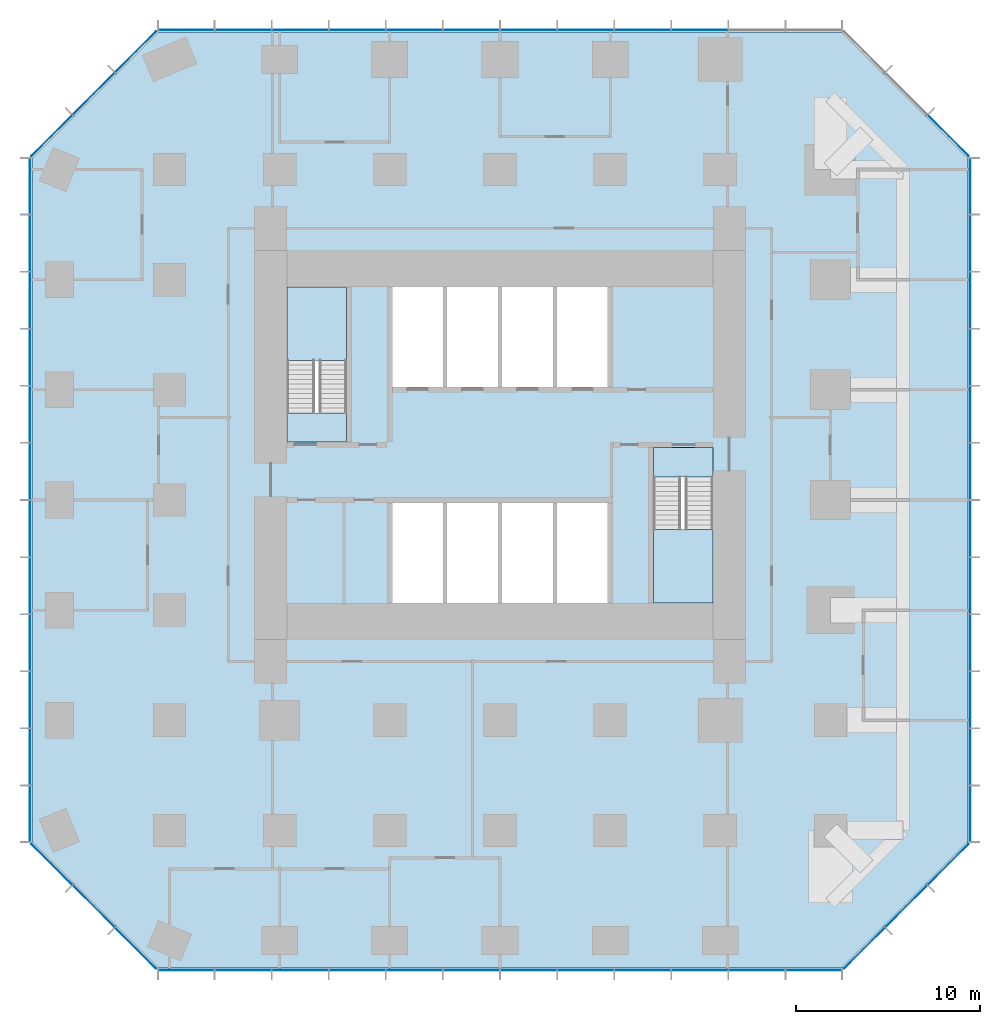
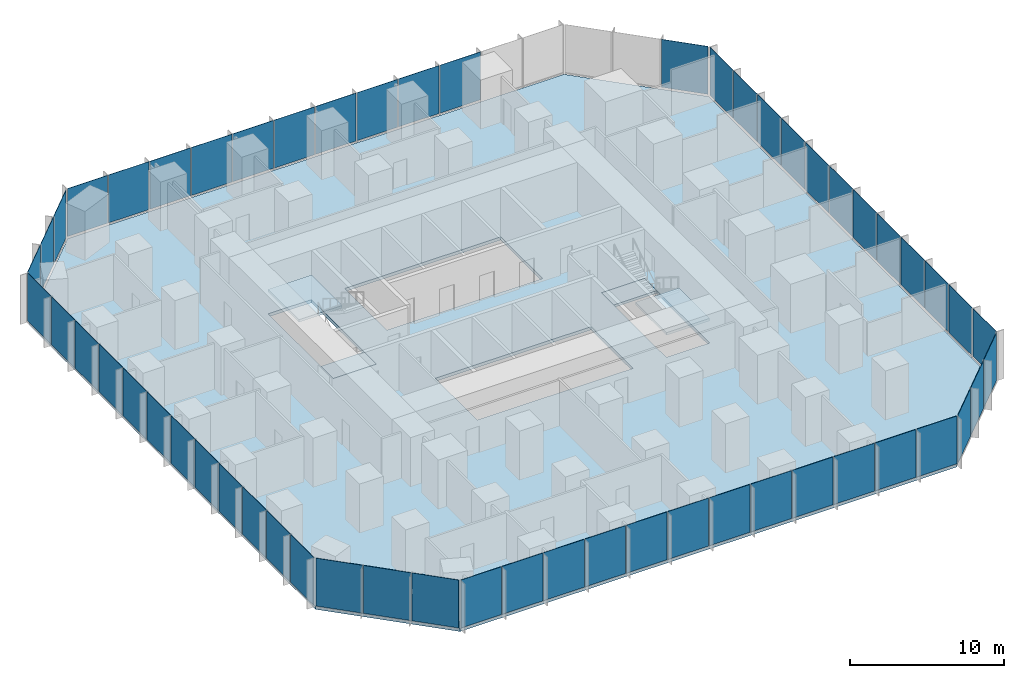
# One storey, part 7 of 12: 56 plates, 5 slabs, 10 elements without a shape of their own.
"""IFC4 building model written with IfcOpenShell, lengths in metres."""

from ifc_helpers import new_model, si_unit, direction, frame, origin, origin_2d, place, context, subcontext, project, spatial, polyline, rectangle, outline, extrude, material, layer, layer_set, type_object, element, aggregate, save


model = new_model("IFC4")

# Units and contexts
model_context = context("Model", 3, precision=1e-05, world=origin(), true_north=direction((0.0, 1.0)))
body_context = subcontext(model_context, "Body", "Model", "MODEL_VIEW")
ifc_project = project(units=[si_unit("LENGTHUNIT", "METRE"), si_unit("AREAUNIT", "SQUARE_METRE"), si_unit("VOLUMEUNIT", "CUBIC_METRE"), si_unit("PLANEANGLEUNIT", "RADIAN"), si_unit("MASSUNIT", "GRAM", prefix="KILO")], contexts=[model_context])

# Site, building, storey
site_placement = place(None, origin())
site = spatial("IfcSite", under=ifc_project, at=site_placement, CompositionType="ELEMENT")
building_placement = place(site_placement, origin())
building = spatial("IfcBuilding", under=site, at=building_placement, Name="Highveld Stack Headquarters", CompositionType="ELEMENT")
storey_placement = place(building_placement, frame((0.0, 0.0, 45.5)))
storey = spatial("IfcBuildingStorey", under=building, at=storey_placement, Name="L10", CompositionType="ELEMENT", Elevation=45.5)

# Curtain wall, plates
ifc_material_1 = material(Name="Aluminium bronze anodised", Category="aluminium")
ifc_layer_1 = layer(ifc_material_1, 0.199951171875)
ifc_layer_set_1 = layer_set([ifc_layer_1], Name="Aluminium bronze anodised")
curtain_wall_type_1 = type_object("IfcCurtainWallType", Name="CW1 TOWER UNITISED CURTAIN WALL", PredefinedType="NOTDEFINED", material=ifc_layer_set_1)
curtain_wall_1_placement = place(storey_placement, origin())
curtain_wall_1 = element("IfcCurtainWall", 1, at=curtain_wall_1_placement, inside=storey, type_object=curtain_wall_type_1, Name="Curtain wall CW1 L10 S", PredefinedType="NOTDEFINED")
ifc_material_2 = material(Name="Glass bronze tinted double glazed unit", Category="glass")
ifc_layer_2 = layer(ifc_material_2, 0.028076171875)
ifc_layer_set_2 = layer_set([ifc_layer_2], Name="Glass bronze tinted double glazed unit")
plate_type_1 = type_object("IfcPlateType", Name="CW1 PANEL BRONZE TINTED DOUBLE GLAZED UNIT", PredefinedType="CURTAIN_PANEL", material=ifc_layer_set_2)
plate_1_placement = place(storey_placement, frame((-11.09130859375, -25.60009765625, 0.10009765625), z_axis=(0.0, 0.0, 1.0), x_axis=(1.0, 0.0, 0.0)))
plate_1 = element("IfcPlate", 2, at=plate_1_placement, type_object=plate_type_1, Name="CW1 panel L10 1.1", PredefinedType="CURTAIN_PANEL", context=body_context, shape_type="SweptSolid", body=[
    extrude(rectangle(XDim=3.012939453125, YDim=0.028076171875, at=origin_2d()), origin(), (0.0, 0.0, 1.0), 3.800048828125),
])
plate_2_placement = place(storey_placement, frame((-7.9970703125, -25.60009765625, 0.10009765625), z_axis=(0.0, 0.0, 1.0), x_axis=(1.0, 0.0, 0.0)))
plate_2 = element("IfcPlate", 3, at=plate_2_placement, type_object=plate_type_1, Name="CW1 panel L10 2.1", PredefinedType="CURTAIN_PANEL", context=body_context, shape_type="SweptSolid", body=[
    extrude(rectangle(XDim=3.04541015625, YDim=0.028076171875, at=origin_2d()), origin(), (0.0, 0.0, 1.0), 3.800048828125),
])
plate_3_placement = place(storey_placement, frame((-4.88671875, -25.60009765625, 0.10009765625), z_axis=(0.0, 0.0, 1.0), x_axis=(1.0, 0.0, 0.0)))
plate_3 = element("IfcPlate", 4, at=plate_3_placement, type_object=plate_type_1, Name="CW1 panel L10 3.1", PredefinedType="CURTAIN_PANEL", context=body_context, shape_type="SweptSolid", body=[
    extrude(rectangle(XDim=3.04541015625, YDim=0.028076171875, at=origin_2d()), origin(), (0.0, 0.0, 1.0), 3.800048828125),
])
plate_4_placement = place(storey_placement, frame((-1.776123046875, -25.60009765625, 0.10009765625), z_axis=(0.0, 0.0, 1.0), x_axis=(1.0, 0.0, 0.0)))
plate_4 = element("IfcPlate", 5, at=plate_4_placement, type_object=plate_type_1, Name="CW1 panel L10 4.1", PredefinedType="CURTAIN_PANEL", context=body_context, shape_type="SweptSolid", body=[
    extrude(rectangle(XDim=3.04541015625, YDim=0.028076171875, at=origin_2d()), origin(), (0.0, 0.0, 1.0), 3.800048828125),
])
plate_5_placement = place(storey_placement, frame((1.334228515625, -25.60009765625, 0.10009765625), z_axis=(0.0, 0.0, 1.0), x_axis=(1.0, 0.0, 0.0)))
plate_5 = element("IfcPlate", 6, at=plate_5_placement, type_object=plate_type_1, Name="CW1 panel L10 5.1", PredefinedType="CURTAIN_PANEL", context=body_context, shape_type="SweptSolid", body=[
    extrude(rectangle(XDim=3.04541015625, YDim=0.028076171875, at=origin_2d()), origin(), (0.0, 0.0, 1.0), 3.800048828125),
])
plate_6_placement = place(storey_placement, frame((4.44482421875, -25.60009765625, 0.10009765625), z_axis=(0.0, 0.0, 1.0), x_axis=(1.0, 0.0, 0.0)))
plate_6 = element("IfcPlate", 7, at=plate_6_placement, type_object=plate_type_1, Name="CW1 panel L10 6.1", PredefinedType="CURTAIN_PANEL", context=body_context, shape_type="SweptSolid", body=[
    extrude(rectangle(XDim=3.04541015625, YDim=0.028076171875, at=origin_2d()), origin(), (0.0, 0.0, 1.0), 3.800048828125),
])
plate_7_placement = place(storey_placement, frame((7.55517578125, -25.60009765625, 0.10009765625), z_axis=(0.0, 0.0, 1.0), x_axis=(1.0, 0.0, 0.0)))
plate_7 = element("IfcPlate", 8, at=plate_7_placement, type_object=plate_type_1, Name="CW1 panel L10 7.1", PredefinedType="CURTAIN_PANEL", context=body_context, shape_type="SweptSolid", body=[
    extrude(rectangle(XDim=3.04541015625, YDim=0.028076171875, at=origin_2d()), origin(), (0.0, 0.0, 1.0), 3.800048828125),
])
plate_8_placement = place(storey_placement, frame((10.665771484375, -25.60009765625, 0.10009765625), z_axis=(0.0, 0.0, 1.0), x_axis=(1.0, 0.0, 0.0)))
plate_8 = element("IfcPlate", 9, at=plate_8_placement, type_object=plate_type_1, Name="CW1 panel L10 8.1", PredefinedType="CURTAIN_PANEL", context=body_context, shape_type="SweptSolid", body=[
    extrude(rectangle(XDim=3.04541015625, YDim=0.028076171875, at=origin_2d()), origin(), (0.0, 0.0, 1.0), 3.800048828125),
])
plate_9_placement = place(storey_placement, frame((13.776123046875, -25.60009765625, 0.10009765625), z_axis=(0.0, 0.0, 1.0), x_axis=(1.0, 0.0, 0.0)))
plate_9 = element("IfcPlate", 10, at=plate_9_placement, type_object=plate_type_1, Name="CW1 panel L10 9.1", PredefinedType="CURTAIN_PANEL", context=body_context, shape_type="SweptSolid", body=[
    extrude(rectangle(XDim=3.04541015625, YDim=0.028076171875, at=origin_2d()), origin(), (0.0, 0.0, 1.0), 3.800048828125),
])
plate_10_placement = place(storey_placement, frame((16.88671875, -25.60009765625, 0.10009765625), z_axis=(0.0, 0.0, 1.0), x_axis=(1.0, 0.0, 0.0)))
plate_10 = element("IfcPlate", 11, at=plate_10_placement, type_object=plate_type_1, Name="CW1 panel L10 10.1", PredefinedType="CURTAIN_PANEL", context=body_context, shape_type="SweptSolid", body=[
    extrude(rectangle(XDim=3.04541015625, YDim=0.028076171875, at=origin_2d()), origin(), (0.0, 0.0, 1.0), 3.800048828125),
])
plate_11_placement = place(storey_placement, frame((19.9970703125, -25.60009765625, 0.10009765625), z_axis=(0.0, 0.0, 1.0), x_axis=(1.0, 0.0, 0.0)))
plate_11 = element("IfcPlate", 12, at=plate_11_placement, type_object=plate_type_1, Name="CW1 panel L10 11.1", PredefinedType="CURTAIN_PANEL", context=body_context, shape_type="SweptSolid", body=[
    extrude(rectangle(XDim=3.04541015625, YDim=0.028076171875, at=origin_2d()), origin(), (0.0, 0.0, 1.0), 3.800048828125),
])
plate_12_placement = place(storey_placement, frame((23.09130859375, -25.60009765625, 0.10009765625), z_axis=(0.0, 0.0, 1.0), x_axis=(1.0, 0.0, 0.0)))
plate_12 = element("IfcPlate", 13, at=plate_12_placement, type_object=plate_type_1, Name="CW1 panel L10 12.1", PredefinedType="CURTAIN_PANEL", context=body_context, shape_type="SweptSolid", body=[
    extrude(rectangle(XDim=3.012939453125, YDim=0.028076171875, at=origin_2d()), origin(), (0.0, 0.0, 1.0), 3.800048828125),
])
aggregate(curtain_wall_1, [plate_1, plate_2, plate_3, plate_4, plate_5, plate_6, plate_7, plate_8, plate_9, plate_10, plate_11, plate_12])

curtain_wall_2_placement = place(storey_placement, origin())
curtain_wall_2 = element("IfcCurtainWall", 14, at=curtain_wall_2_placement, inside=storey, type_object=curtain_wall_type_1, Name="Curtain wall CW1 L10 E", PredefinedType="NOTDEFINED")
plate_13_placement = place(storey_placement, frame((31.60009765625, -17.09130859375, 0.10009765625), z_axis=(0.0, 0.0, 1.0), x_axis=(0.0, 1.0, 0.0)))
plate_13 = element("IfcPlate", 15, at=plate_13_placement, type_object=plate_type_1, Name="CW1 panel L10 1.1", PredefinedType="CURTAIN_PANEL", context=body_context, shape_type="SweptSolid", body=[
    extrude(rectangle(XDim=3.012939453125, YDim=0.028076171875, at=origin_2d()), origin(), (0.0, 0.0, 1.0), 3.800048828125),
])
plate_14_placement = place(storey_placement, frame((31.60009765625, -13.9970703125, 0.10009765625), z_axis=(0.0, 0.0, 1.0), x_axis=(0.0, 1.0, 0.0)))
plate_14 = element("IfcPlate", 16, at=plate_14_placement, type_object=plate_type_1, Name="CW1 panel L10 2.1", PredefinedType="CURTAIN_PANEL", context=body_context, shape_type="SweptSolid", body=[
    extrude(rectangle(XDim=3.04541015625, YDim=0.028076171875, at=origin_2d()), origin(), (0.0, 0.0, 1.0), 3.800048828125),
])
plate_15_placement = place(storey_placement, frame((31.60009765625, -10.88671875, 0.10009765625), z_axis=(0.0, 0.0, 1.0), x_axis=(0.0, 1.0, 0.0)))
plate_15 = element("IfcPlate", 17, at=plate_15_placement, type_object=plate_type_1, Name="CW1 panel L10 3.1", PredefinedType="CURTAIN_PANEL", context=body_context, shape_type="SweptSolid", body=[
    extrude(rectangle(XDim=3.04541015625, YDim=0.028076171875, at=origin_2d()), origin(), (0.0, 0.0, 1.0), 3.800048828125),
])
plate_16_placement = place(storey_placement, frame((31.60009765625, -7.776123046875, 0.10009765625), z_axis=(0.0, 0.0, 1.0), x_axis=(0.0, 1.0, 0.0)))
plate_16 = element("IfcPlate", 18, at=plate_16_placement, type_object=plate_type_1, Name="CW1 panel L10 4.1", PredefinedType="CURTAIN_PANEL", context=body_context, shape_type="SweptSolid", body=[
    extrude(rectangle(XDim=3.04541015625, YDim=0.028076171875, at=origin_2d()), origin(), (0.0, 0.0, 1.0), 3.800048828125),
])
plate_17_placement = place(storey_placement, frame((31.60009765625, -4.665771484375, 0.10009765625), z_axis=(0.0, 0.0, 1.0), x_axis=(0.0, 1.0, 0.0)))
plate_17 = element("IfcPlate", 19, at=plate_17_placement, type_object=plate_type_1, Name="CW1 panel L10 5.1", PredefinedType="CURTAIN_PANEL", context=body_context, shape_type="SweptSolid", body=[
    extrude(rectangle(XDim=3.04541015625, YDim=0.028076171875, at=origin_2d()), origin(), (0.0, 0.0, 1.0), 3.800048828125),
])
plate_18_placement = place(storey_placement, frame((31.60009765625, -1.55517578125, 0.10009765625), z_axis=(0.0, 0.0, 1.0), x_axis=(0.0, 1.0, 0.0)))
plate_18 = element("IfcPlate", 20, at=plate_18_placement, type_object=plate_type_1, Name="CW1 panel L10 6.1", PredefinedType="CURTAIN_PANEL", context=body_context, shape_type="SweptSolid", body=[
    extrude(rectangle(XDim=3.04541015625, YDim=0.028076171875, at=origin_2d()), origin(), (0.0, 0.0, 1.0), 3.800048828125),
])
plate_19_placement = place(storey_placement, frame((31.60009765625, 1.55517578125, 0.10009765625), z_axis=(0.0, 0.0, 1.0), x_axis=(0.0, 1.0, 0.0)))
plate_19 = element("IfcPlate", 21, at=plate_19_placement, type_object=plate_type_1, Name="CW1 panel L10 7.1", PredefinedType="CURTAIN_PANEL", context=body_context, shape_type="SweptSolid", body=[
    extrude(rectangle(XDim=3.04541015625, YDim=0.028076171875, at=origin_2d()), origin(), (0.0, 0.0, 1.0), 3.800048828125),
])
plate_20_placement = place(storey_placement, frame((31.60009765625, 4.665771484375, 0.10009765625), z_axis=(0.0, 0.0, 1.0), x_axis=(0.0, 1.0, 0.0)))
plate_20 = element("IfcPlate", 22, at=plate_20_placement, type_object=plate_type_1, Name="CW1 panel L10 8.1", PredefinedType="CURTAIN_PANEL", context=body_context, shape_type="SweptSolid", body=[
    extrude(rectangle(XDim=3.04541015625, YDim=0.028076171875, at=origin_2d()), origin(), (0.0, 0.0, 1.0), 3.800048828125),
])
plate_21_placement = place(storey_placement, frame((31.60009765625, 7.776123046875, 0.10009765625), z_axis=(0.0, 0.0, 1.0), x_axis=(0.0, 1.0, 0.0)))
plate_21 = element("IfcPlate", 23, at=plate_21_placement, type_object=plate_type_1, Name="CW1 panel L10 9.1", PredefinedType="CURTAIN_PANEL", context=body_context, shape_type="SweptSolid", body=[
    extrude(rectangle(XDim=3.04541015625, YDim=0.028076171875, at=origin_2d()), origin(), (0.0, 0.0, 1.0), 3.800048828125),
])
plate_22_placement = place(storey_placement, frame((31.60009765625, 10.88671875, 0.10009765625), z_axis=(0.0, 0.0, 1.0), x_axis=(0.0, 1.0, 0.0)))
plate_22 = element("IfcPlate", 24, at=plate_22_placement, type_object=plate_type_1, Name="CW1 panel L10 10.1", PredefinedType="CURTAIN_PANEL", context=body_context, shape_type="SweptSolid", body=[
    extrude(rectangle(XDim=3.04541015625, YDim=0.028076171875, at=origin_2d()), origin(), (0.0, 0.0, 1.0), 3.800048828125),
])
plate_23_placement = place(storey_placement, frame((31.60009765625, 13.9970703125, 0.10009765625), z_axis=(0.0, 0.0, 1.0), x_axis=(0.0, 1.0, 0.0)))
plate_23 = element("IfcPlate", 25, at=plate_23_placement, type_object=plate_type_1, Name="CW1 panel L10 11.1", PredefinedType="CURTAIN_PANEL", context=body_context, shape_type="SweptSolid", body=[
    extrude(rectangle(XDim=3.04541015625, YDim=0.028076171875, at=origin_2d()), origin(), (0.0, 0.0, 1.0), 3.800048828125),
])
plate_24_placement = place(storey_placement, frame((31.60009765625, 17.09130859375, 0.10009765625), z_axis=(0.0, 0.0, 1.0), x_axis=(0.0, 1.0, 0.0)))
plate_24 = element("IfcPlate", 26, at=plate_24_placement, type_object=plate_type_1, Name="CW1 panel L10 12.1", PredefinedType="CURTAIN_PANEL", context=body_context, shape_type="SweptSolid", body=[
    extrude(rectangle(XDim=3.012939453125, YDim=0.028076171875, at=origin_2d()), origin(), (0.0, 0.0, 1.0), 3.800048828125),
])
aggregate(curtain_wall_2, [plate_13, plate_14, plate_15, plate_16, plate_17, plate_18, plate_19, plate_20, plate_21, plate_22, plate_23, plate_24])

curtain_wall_3_placement = place(storey_placement, origin())
curtain_wall_3 = element("IfcCurtainWall", 27, at=curtain_wall_3_placement, inside=storey, type_object=curtain_wall_type_1, Name="Curtain wall CW1 L10 N", PredefinedType="NOTDEFINED")
plate_25_placement = place(storey_placement, frame((16.88671875, 25.60009765625, 0.10009765625), z_axis=(0.0, 0.0, 1.0), x_axis=(-1.0, 0.0, 0.0)))
plate_25 = element("IfcPlate", 28, at=plate_25_placement, type_object=plate_type_1, Name="CW1 panel L10 3.1", PredefinedType="CURTAIN_PANEL", context=body_context, shape_type="SweptSolid", body=[
    extrude(rectangle(XDim=3.04541015625, YDim=0.028076171875, at=origin_2d()), origin(), (0.0, 0.0, 1.0), 3.800048828125),
])
plate_26_placement = place(storey_placement, frame((13.776123046875, 25.60009765625, 0.10009765625), z_axis=(0.0, 0.0, 1.0), x_axis=(-1.0, 0.0, 0.0)))
plate_26 = element("IfcPlate", 29, at=plate_26_placement, type_object=plate_type_1, Name="CW1 panel L10 4.1", PredefinedType="CURTAIN_PANEL", context=body_context, shape_type="SweptSolid", body=[
    extrude(rectangle(XDim=3.04541015625, YDim=0.028076171875, at=origin_2d()), origin(), (0.0, 0.0, 1.0), 3.800048828125),
])
plate_27_placement = place(storey_placement, frame((10.665771484375, 25.60009765625, 0.10009765625), z_axis=(0.0, 0.0, 1.0), x_axis=(-1.0, 0.0, 0.0)))
plate_27 = element("IfcPlate", 30, at=plate_27_placement, type_object=plate_type_1, Name="CW1 panel L10 5.1", PredefinedType="CURTAIN_PANEL", context=body_context, shape_type="SweptSolid", body=[
    extrude(rectangle(XDim=3.04541015625, YDim=0.028076171875, at=origin_2d()), origin(), (0.0, 0.0, 1.0), 3.800048828125),
])
plate_28_placement = place(storey_placement, frame((7.55517578125, 25.60009765625, 0.10009765625), z_axis=(0.0, 0.0, 1.0), x_axis=(-1.0, 0.0, 0.0)))
plate_28 = element("IfcPlate", 31, at=plate_28_placement, type_object=plate_type_1, Name="CW1 panel L10 6.1", PredefinedType="CURTAIN_PANEL", context=body_context, shape_type="SweptSolid", body=[
    extrude(rectangle(XDim=3.04541015625, YDim=0.028076171875, at=origin_2d()), origin(), (0.0, 0.0, 1.0), 3.800048828125),
])
plate_29_placement = place(storey_placement, frame((4.44482421875, 25.60009765625, 0.10009765625), z_axis=(0.0, 0.0, 1.0), x_axis=(-1.0, 0.0, 0.0)))
plate_29 = element("IfcPlate", 32, at=plate_29_placement, type_object=plate_type_1, Name="CW1 panel L10 7.1", PredefinedType="CURTAIN_PANEL", context=body_context, shape_type="SweptSolid", body=[
    extrude(rectangle(XDim=3.04541015625, YDim=0.028076171875, at=origin_2d()), origin(), (0.0, 0.0, 1.0), 3.800048828125),
])
plate_30_placement = place(storey_placement, frame((1.334228515625, 25.60009765625, 0.10009765625), z_axis=(0.0, 0.0, 1.0), x_axis=(-1.0, 0.0, 0.0)))
plate_30 = element("IfcPlate", 33, at=plate_30_placement, type_object=plate_type_1, Name="CW1 panel L10 8.1", PredefinedType="CURTAIN_PANEL", context=body_context, shape_type="SweptSolid", body=[
    extrude(rectangle(XDim=3.04541015625, YDim=0.028076171875, at=origin_2d()), origin(), (0.0, 0.0, 1.0), 3.800048828125),
])
plate_31_placement = place(storey_placement, frame((-1.776123046875, 25.60009765625, 0.10009765625), z_axis=(0.0, 0.0, 1.0), x_axis=(-1.0, 0.0, 0.0)))
plate_31 = element("IfcPlate", 34, at=plate_31_placement, type_object=plate_type_1, Name="CW1 panel L10 9.1", PredefinedType="CURTAIN_PANEL", context=body_context, shape_type="SweptSolid", body=[
    extrude(rectangle(XDim=3.04541015625, YDim=0.028076171875, at=origin_2d()), origin(), (0.0, 0.0, 1.0), 3.800048828125),
])
plate_32_placement = place(storey_placement, frame((-4.88671875, 25.60009765625, 0.10009765625), z_axis=(0.0, 0.0, 1.0), x_axis=(-1.0, 0.0, 0.0)))
plate_32 = element("IfcPlate", 35, at=plate_32_placement, type_object=plate_type_1, Name="CW1 panel L10 10.1", PredefinedType="CURTAIN_PANEL", context=body_context, shape_type="SweptSolid", body=[
    extrude(rectangle(XDim=3.04541015625, YDim=0.028076171875, at=origin_2d()), origin(), (0.0, 0.0, 1.0), 3.800048828125),
])
plate_33_placement = place(storey_placement, frame((-7.9970703125, 25.60009765625, 0.10009765625), z_axis=(0.0, 0.0, 1.0), x_axis=(-1.0, 0.0, 0.0)))
plate_33 = element("IfcPlate", 36, at=plate_33_placement, type_object=plate_type_1, Name="CW1 panel L10 11.1", PredefinedType="CURTAIN_PANEL", context=body_context, shape_type="SweptSolid", body=[
    extrude(rectangle(XDim=3.04541015625, YDim=0.028076171875, at=origin_2d()), origin(), (0.0, 0.0, 1.0), 3.800048828125),
])
plate_34_placement = place(storey_placement, frame((-11.09130859375, 25.60009765625, 0.10009765625), z_axis=(0.0, 0.0, 1.0), x_axis=(-1.0, 0.0, 0.0)))
plate_34 = element("IfcPlate", 37, at=plate_34_placement, type_object=plate_type_1, Name="CW1 panel L10 12.1", PredefinedType="CURTAIN_PANEL", context=body_context, shape_type="SweptSolid", body=[
    extrude(rectangle(XDim=3.012939453125, YDim=0.028076171875, at=origin_2d()), origin(), (0.0, 0.0, 1.0), 3.800048828125),
])
aggregate(curtain_wall_3, [plate_25, plate_26, plate_27, plate_28, plate_29, plate_30, plate_31, plate_32, plate_33, plate_34])

curtain_wall_4_placement = place(storey_placement, origin())
curtain_wall_4 = element("IfcCurtainWall", 38, at=curtain_wall_4_placement, inside=storey, type_object=curtain_wall_type_1, Name="Curtain wall CW1 L10 W", PredefinedType="NOTDEFINED")
plate_35_placement = place(storey_placement, frame((-19.60009765625, 17.09130859375, 0.10009765625), z_axis=(0.0, 0.0, 1.0), x_axis=(0.0, -1.0, 0.0)))
plate_35 = element("IfcPlate", 39, at=plate_35_placement, type_object=plate_type_1, Name="CW1 panel L10 1.1", PredefinedType="CURTAIN_PANEL", context=body_context, shape_type="SweptSolid", body=[
    extrude(rectangle(XDim=3.012939453125, YDim=0.028076171875, at=origin_2d()), origin(), (0.0, 0.0, 1.0), 3.800048828125),
])
plate_36_placement = place(storey_placement, frame((-19.60009765625, 13.9970703125, 0.10009765625), z_axis=(0.0, 0.0, 1.0), x_axis=(0.0, -1.0, 0.0)))
plate_36 = element("IfcPlate", 40, at=plate_36_placement, type_object=plate_type_1, Name="CW1 panel L10 2.1", PredefinedType="CURTAIN_PANEL", context=body_context, shape_type="SweptSolid", body=[
    extrude(rectangle(XDim=3.04541015625, YDim=0.028076171875, at=origin_2d()), origin(), (0.0, 0.0, 1.0), 3.800048828125),
])
plate_37_placement = place(storey_placement, frame((-19.60009765625, 10.88671875, 0.10009765625), z_axis=(0.0, 0.0, 1.0), x_axis=(0.0, -1.0, 0.0)))
plate_37 = element("IfcPlate", 41, at=plate_37_placement, type_object=plate_type_1, Name="CW1 panel L10 3.1", PredefinedType="CURTAIN_PANEL", context=body_context, shape_type="SweptSolid", body=[
    extrude(rectangle(XDim=3.04541015625, YDim=0.028076171875, at=origin_2d()), origin(), (0.0, 0.0, 1.0), 3.800048828125),
])
plate_38_placement = place(storey_placement, frame((-19.60009765625, 7.776123046875, 0.10009765625), z_axis=(0.0, 0.0, 1.0), x_axis=(0.0, -1.0, 0.0)))
plate_38 = element("IfcPlate", 42, at=plate_38_placement, type_object=plate_type_1, Name="CW1 panel L10 4.1", PredefinedType="CURTAIN_PANEL", context=body_context, shape_type="SweptSolid", body=[
    extrude(rectangle(XDim=3.04541015625, YDim=0.028076171875, at=origin_2d()), origin(), (0.0, 0.0, 1.0), 3.800048828125),
])
plate_39_placement = place(storey_placement, frame((-19.60009765625, 4.665771484375, 0.10009765625), z_axis=(0.0, 0.0, 1.0), x_axis=(0.0, -1.0, 0.0)))
plate_39 = element("IfcPlate", 43, at=plate_39_placement, type_object=plate_type_1, Name="CW1 panel L10 5.1", PredefinedType="CURTAIN_PANEL", context=body_context, shape_type="SweptSolid", body=[
    extrude(rectangle(XDim=3.04541015625, YDim=0.028076171875, at=origin_2d()), origin(), (0.0, 0.0, 1.0), 3.800048828125),
])
plate_40_placement = place(storey_placement, frame((-19.60009765625, 1.55517578125, 0.10009765625), z_axis=(0.0, 0.0, 1.0), x_axis=(0.0, -1.0, 0.0)))
plate_40 = element("IfcPlate", 44, at=plate_40_placement, type_object=plate_type_1, Name="CW1 panel L10 6.1", PredefinedType="CURTAIN_PANEL", context=body_context, shape_type="SweptSolid", body=[
    extrude(rectangle(XDim=3.04541015625, YDim=0.028076171875, at=origin_2d()), origin(), (0.0, 0.0, 1.0), 3.800048828125),
])
plate_41_placement = place(storey_placement, frame((-19.60009765625, -1.55517578125, 0.10009765625), z_axis=(0.0, 0.0, 1.0), x_axis=(0.0, -1.0, 0.0)))
plate_41 = element("IfcPlate", 45, at=plate_41_placement, type_object=plate_type_1, Name="CW1 panel L10 7.1", PredefinedType="CURTAIN_PANEL", context=body_context, shape_type="SweptSolid", body=[
    extrude(rectangle(XDim=3.04541015625, YDim=0.028076171875, at=origin_2d()), origin(), (0.0, 0.0, 1.0), 3.800048828125),
])
plate_42_placement = place(storey_placement, frame((-19.60009765625, -4.665771484375, 0.10009765625), z_axis=(0.0, 0.0, 1.0), x_axis=(0.0, -1.0, 0.0)))
plate_42 = element("IfcPlate", 46, at=plate_42_placement, type_object=plate_type_1, Name="CW1 panel L10 8.1", PredefinedType="CURTAIN_PANEL", context=body_context, shape_type="SweptSolid", body=[
    extrude(rectangle(XDim=3.04541015625, YDim=0.028076171875, at=origin_2d()), origin(), (0.0, 0.0, 1.0), 3.800048828125),
])
plate_43_placement = place(storey_placement, frame((-19.60009765625, -7.776123046875, 0.10009765625), z_axis=(0.0, 0.0, 1.0), x_axis=(0.0, -1.0, 0.0)))
plate_43 = element("IfcPlate", 47, at=plate_43_placement, type_object=plate_type_1, Name="CW1 panel L10 9.1", PredefinedType="CURTAIN_PANEL", context=body_context, shape_type="SweptSolid", body=[
    extrude(rectangle(XDim=3.04541015625, YDim=0.028076171875, at=origin_2d()), origin(), (0.0, 0.0, 1.0), 3.800048828125),
])
plate_44_placement = place(storey_placement, frame((-19.60009765625, -10.88671875, 0.10009765625), z_axis=(0.0, 0.0, 1.0), x_axis=(0.0, -1.0, 0.0)))
plate_44 = element("IfcPlate", 48, at=plate_44_placement, type_object=plate_type_1, Name="CW1 panel L10 10.1", PredefinedType="CURTAIN_PANEL", context=body_context, shape_type="SweptSolid", body=[
    extrude(rectangle(XDim=3.04541015625, YDim=0.028076171875, at=origin_2d()), origin(), (0.0, 0.0, 1.0), 3.800048828125),
])
plate_45_placement = place(storey_placement, frame((-19.60009765625, -13.9970703125, 0.10009765625), z_axis=(0.0, 0.0, 1.0), x_axis=(0.0, -1.0, 0.0)))
plate_45 = element("IfcPlate", 49, at=plate_45_placement, type_object=plate_type_1, Name="CW1 panel L10 11.1", PredefinedType="CURTAIN_PANEL", context=body_context, shape_type="SweptSolid", body=[
    extrude(rectangle(XDim=3.04541015625, YDim=0.028076171875, at=origin_2d()), origin(), (0.0, 0.0, 1.0), 3.800048828125),
])
plate_46_placement = place(storey_placement, frame((-19.60009765625, -17.09130859375, 0.10009765625), z_axis=(0.0, 0.0, 1.0), x_axis=(0.0, -1.0, 0.0)))
plate_46 = element("IfcPlate", 50, at=plate_46_placement, type_object=plate_type_1, Name="CW1 panel L10 12.1", PredefinedType="CURTAIN_PANEL", context=body_context, shape_type="SweptSolid", body=[
    extrude(rectangle(XDim=3.012939453125, YDim=0.028076171875, at=origin_2d()), origin(), (0.0, 0.0, 1.0), 3.800048828125),
])
aggregate(curtain_wall_4, [plate_35, plate_36, plate_37, plate_38, plate_39, plate_40, plate_41, plate_42, plate_43, plate_44, plate_45, plate_46])

ifc_material_3 = material(Name="Aluminium bronze anodised", Category="aluminium")
ifc_layer_3 = layer(ifc_material_3, 0.199951171875)
ifc_layer_set_3 = layer_set([ifc_layer_3], Name="Aluminium bronze anodised")
curtain_wall_type_2 = type_object("IfcCurtainWallType", Name="CW2 TOWER CHAMFER UNITISED CURTAIN WALL", PredefinedType="NOTDEFINED", material=ifc_layer_set_3)
curtain_wall_5_placement = place(storey_placement, origin())
curtain_wall_5 = element("IfcCurtainWall", 51, at=curtain_wall_5_placement, inside=storey, type_object=curtain_wall_type_2, Name="Curtain wall CW2 L10 SE", PredefinedType="NOTDEFINED")
ifc_material_4 = material(Name="Glass bronze tinted double glazed unit", Category="glass")
ifc_layer_4 = layer(ifc_material_4, 0.028076171875)
ifc_layer_set_4 = layer_set([ifc_layer_4], Name="Glass bronze tinted double glazed unit")
plate_type_2 = type_object("IfcPlateType", Name="CW2 PANEL BRONZE TINTED DOUBLE GLAZED UNIT", PredefinedType="CURTAIN_PANEL", material=ifc_layer_set_4)
plate_47_placement = place(storey_placement, frame((25.8427734375, -24.419921875, 0.10009765625), z_axis=(0.0, 0.0, 1.0), x_axis=(0.707106781187, 0.707106781187, 0.0)))
plate_47 = element("IfcPlate", 52, at=plate_47_placement, type_object=plate_type_2, Name="CW2 panel L10 1.1", PredefinedType="CURTAIN_PANEL", context=body_context, shape_type="SweptSolid", body=[
    extrude(rectangle(XDim=3.1376953125, YDim=0.028076171875, at=origin_2d()), origin(), (0.0, 0.0, 1.0), 3.800048828125),
])
plate_48_placement = place(storey_placement, frame((28.13134765625, -22.13134765625, 0.10009765625), z_axis=(0.0, 0.0, 1.0), x_axis=(0.707106781187, 0.707106781187, 0.0)))
plate_48 = element("IfcPlate", 53, at=plate_48_placement, type_object=plate_type_2, Name="CW2 panel L10 2.1", PredefinedType="CURTAIN_PANEL", context=body_context, shape_type="SweptSolid", body=[
    extrude(rectangle(XDim=3.205322265625, YDim=0.028076171875, at=origin_2d()), origin(), (0.0, 0.0, 1.0), 3.800048828125),
])
plate_49_placement = place(storey_placement, frame((30.419921875, -19.8427734375, 0.10009765625), z_axis=(0.0, 0.0, 1.0), x_axis=(0.707106781187, 0.707106781187, 0.0)))
plate_49 = element("IfcPlate", 54, at=plate_49_placement, type_object=plate_type_2, Name="CW2 panel L10 3.1", PredefinedType="CURTAIN_PANEL", context=body_context, shape_type="SweptSolid", body=[
    extrude(rectangle(XDim=3.1376953125, YDim=0.028076171875, at=origin_2d()), origin(), (0.0, 0.0, 1.0), 3.800048828125),
])
aggregate(curtain_wall_5, [plate_47, plate_48, plate_49])

# Curtain wall, plate
curtain_wall_6_placement = place(storey_placement, origin())
curtain_wall_6 = element("IfcCurtainWall", 55, at=curtain_wall_6_placement, inside=storey, type_object=curtain_wall_type_2, Name="Curtain wall CW2 L10 NE", PredefinedType="NOTDEFINED")
plate_50_placement = place(storey_placement, frame((30.419921875, 19.8427734375, 0.10009765625), z_axis=(0.0, 0.0, 1.0), x_axis=(-0.707106781187, 0.707106781187, 0.0)))
plate_50 = element("IfcPlate", 56, at=plate_50_placement, type_object=plate_type_2, Name="CW2 panel L10 1.1", PredefinedType="CURTAIN_PANEL", context=body_context, shape_type="SweptSolid", body=[
    extrude(rectangle(XDim=3.1376953125, YDim=0.028076171875, at=origin_2d()), origin(), (0.0, 0.0, 1.0), 3.800048828125),
])
aggregate(curtain_wall_6, [plate_50])

# Curtain wall, plates
curtain_wall_7_placement = place(storey_placement, origin())
curtain_wall_7 = element("IfcCurtainWall", 57, at=curtain_wall_7_placement, inside=storey, type_object=curtain_wall_type_2, Name="Curtain wall CW2 L10 NW", PredefinedType="NOTDEFINED")
plate_51_placement = place(storey_placement, frame((-13.8427734375, 24.419921875, 0.10009765625), z_axis=(0.0, 0.0, 1.0), x_axis=(-0.707106781187, -0.707106781187, 0.0)))
plate_51 = element("IfcPlate", 58, at=plate_51_placement, type_object=plate_type_2, Name="CW2 panel L10 1.1", PredefinedType="CURTAIN_PANEL", context=body_context, shape_type="SweptSolid", body=[
    extrude(rectangle(XDim=3.1376953125, YDim=0.028076171875, at=origin_2d()), origin(), (0.0, 0.0, 1.0), 3.800048828125),
])
plate_52_placement = place(storey_placement, frame((-16.13134765625, 22.13134765625, 0.10009765625), z_axis=(0.0, 0.0, 1.0), x_axis=(-0.707106781187, -0.707106781187, 0.0)))
plate_52 = element("IfcPlate", 59, at=plate_52_placement, type_object=plate_type_2, Name="CW2 panel L10 2.1", PredefinedType="CURTAIN_PANEL", context=body_context, shape_type="SweptSolid", body=[
    extrude(rectangle(XDim=3.205322265625, YDim=0.028076171875, at=origin_2d()), origin(), (0.0, 0.0, 1.0), 3.800048828125),
])
plate_53_placement = place(storey_placement, frame((-18.419921875, 19.8427734375, 0.10009765625), z_axis=(0.0, 0.0, 1.0), x_axis=(-0.707106781187, -0.707106781187, 0.0)))
plate_53 = element("IfcPlate", 60, at=plate_53_placement, type_object=plate_type_2, Name="CW2 panel L10 3.1", PredefinedType="CURTAIN_PANEL", context=body_context, shape_type="SweptSolid", body=[
    extrude(rectangle(XDim=3.1376953125, YDim=0.028076171875, at=origin_2d()), origin(), (0.0, 0.0, 1.0), 3.800048828125),
])
aggregate(curtain_wall_7, [plate_51, plate_52, plate_53])

curtain_wall_8_placement = place(storey_placement, origin())
curtain_wall_8 = element("IfcCurtainWall", 61, at=curtain_wall_8_placement, inside=storey, type_object=curtain_wall_type_2, Name="Curtain wall CW2 L10 SW", PredefinedType="NOTDEFINED")
plate_54_placement = place(storey_placement, frame((-18.419921875, -19.8427734375, 0.10009765625), z_axis=(0.0, 0.0, 1.0), x_axis=(0.707106781187, -0.707106781187, 0.0)))
plate_54 = element("IfcPlate", 62, at=plate_54_placement, type_object=plate_type_2, Name="CW2 panel L10 1.1", PredefinedType="CURTAIN_PANEL", context=body_context, shape_type="SweptSolid", body=[
    extrude(rectangle(XDim=3.1376953125, YDim=0.028076171875, at=origin_2d()), origin(), (0.0, 0.0, 1.0), 3.800048828125),
])
plate_55_placement = place(storey_placement, frame((-16.13134765625, -22.13134765625, 0.10009765625), z_axis=(0.0, 0.0, 1.0), x_axis=(0.707106781187, -0.707106781187, 0.0)))
plate_55 = element("IfcPlate", 63, at=plate_55_placement, type_object=plate_type_2, Name="CW2 panel L10 2.1", PredefinedType="CURTAIN_PANEL", context=body_context, shape_type="SweptSolid", body=[
    extrude(rectangle(XDim=3.205322265625, YDim=0.028076171875, at=origin_2d()), origin(), (0.0, 0.0, 1.0), 3.800048828125),
])
plate_56_placement = place(storey_placement, frame((-13.8427734375, -24.419921875, 0.10009765625), z_axis=(0.0, 0.0, 1.0), x_axis=(0.707106781187, -0.707106781187, 0.0)))
plate_56 = element("IfcPlate", 64, at=plate_56_placement, type_object=plate_type_2, Name="CW2 panel L10 3.1", PredefinedType="CURTAIN_PANEL", context=body_context, shape_type="SweptSolid", body=[
    extrude(rectangle(XDim=3.1376953125, YDim=0.028076171875, at=origin_2d()), origin(), (0.0, 0.0, 1.0), 3.800048828125),
])
aggregate(curtain_wall_8, [plate_54, plate_55, plate_56])

# Slab
ifc_material_5 = material(Name="Concrete C60/75", Category="concrete")
ifc_layer_5 = layer(ifc_material_5, 0.25)
ifc_layer_set_5 = layer_set([ifc_layer_5], Name="Concrete C60/75")
slab_type_1 = type_object("IfcSlabType", Name="PT FLAT SLAB 250", PredefinedType="FLOOR", material=ifc_layer_set_5)
slab_1_placement = place(storey_placement, frame((0.0, 0.0, -0.25)))
element("IfcSlab", 65, at=slab_1_placement, inside=storey, type_object=slab_type_1, Name="Floor slab L10", PredefinedType="FLOOR", context=body_context, shape_type="SweptSolid", body=[
    extrude(outline(polyline([(-12.621337890625, -25.5), (24.621337890625, -25.5), (31.5, -18.621337890625), (31.5, 18.621337890625), (24.621337890625, 25.5), (-12.621337890625, 25.5), (-19.5, 18.621337890625), (-19.5, -18.621337890625), (-12.621337890625, -25.5)]), holes=[polyline([(0.14990234375, 6.14990234375), (11.85009765625, 6.14990234375), (11.85009765625, 11.60009765625), (0.14990234375, 11.60009765625), (0.14990234375, 6.14990234375)]), polyline([(0.14990234375, -5.60009765625), (11.85009765625, -5.60009765625), (11.85009765625, -0.14990234375), (0.14990234375, -0.14990234375), (0.14990234375, -5.60009765625)]), polyline([(-5.60009765625, 3.14990234375), (-2.35009765625, 3.14990234375), (-2.35009765625, 11.60009765625), (-5.60009765625, 11.60009765625), (-5.60009765625, 3.14990234375)]), polyline([(14.35009765625, -5.60009765625), (17.60009765625, -5.60009765625), (17.60009765625, 2.85009765625), (14.35009765625, 2.85009765625), (14.35009765625, -5.60009765625)])]), origin(), (0.0, 0.0, 1.0), 0.25),
])

# Stair, slabs
ifc_material_6 = material(Name="Concrete C40/50, precast", Category="concrete")
stair_type_1 = type_object("IfcStairType", Name="STAIR S1 HALF TURN 1500", PredefinedType="HALF_TURN_STAIR", material=ifc_material_6)
stair_1_placement = place(storey_placement, origin())
stair_1 = element("IfcStair", 66, at=stair_1_placement, inside=storey, type_object=stair_type_1, Name="Stair S1 L10", PredefinedType="HALF_TURN_STAIR")
ifc_material_7 = material(Name="Concrete C40/50, precast", Category="concrete")
ifc_layer_6 = layer(ifc_material_7, 0.199951171875)
ifc_layer_set_6 = layer_set([ifc_layer_6], Name="Concrete C40/50, precast")
slab_type_2 = type_object("IfcSlabType", Name="STAIR LANDING 200", PredefinedType="LANDING", material=ifc_layer_set_6)
slab_2_placement = place(storey_placement, frame((0.0, 0.0, 1.75)))
slab_2 = element("IfcSlab", 67, at=slab_2_placement, type_object=slab_type_2, Name="S1 landing 1", PredefinedType="LANDING", context=body_context, shape_type="SweptSolid", body=[
    extrude(outline(polyline([(-5.60009765625, 7.610107421875), (-2.35009765625, 7.610107421875), (-2.35009765625, 11.60009765625), (-5.60009765625, 11.60009765625), (-5.60009765625, 7.610107421875)])), origin(), (0.0, 0.0, 1.0), 0.199951171875),
])
slab_3_placement = place(storey_placement, frame((0.0, 0.0, -0.199951171875)))
slab_3 = element("IfcSlab", 68, at=slab_3_placement, type_object=slab_type_2, Name="S1 landing 2", PredefinedType="LANDING", context=body_context, shape_type="SweptSolid", body=[
    extrude(outline(polyline([(-5.60009765625, 3.14990234375), (-2.35009765625, 3.14990234375), (-2.35009765625, 4.75), (-5.60009765625, 4.75), (-5.60009765625, 3.14990234375)])), origin(), (0.0, 0.0, 1.0), 0.199951171875),
])
aggregate(stair_1, [slab_2, slab_3])

ifc_material_8 = material(Name="Concrete C40/50, precast", Category="concrete")
stair_type_2 = type_object("IfcStairType", Name="STAIR S2 HALF TURN 1500", PredefinedType="HALF_TURN_STAIR", material=ifc_material_8)
stair_2_placement = place(storey_placement, origin())
stair_2 = element("IfcStair", 69, at=stair_2_placement, inside=storey, type_object=stair_type_2, Name="Stair S2 L10", PredefinedType="HALF_TURN_STAIR")
slab_4_placement = place(storey_placement, frame((0.0, 0.0, 1.75)))
slab_4 = element("IfcSlab", 70, at=slab_4_placement, type_object=slab_type_2, Name="S2 landing 1", PredefinedType="LANDING", context=body_context, shape_type="SweptSolid", body=[
    extrude(outline(polyline([(14.35009765625, -5.60009765625), (17.60009765625, -5.60009765625), (17.60009765625, -1.610107421875), (14.35009765625, -1.610107421875), (14.35009765625, -5.60009765625)])), origin(), (0.0, 0.0, 1.0), 0.199951171875),
])
slab_5_placement = place(storey_placement, frame((0.0, 0.0, -0.199951171875)))
slab_5 = element("IfcSlab", 71, at=slab_5_placement, type_object=slab_type_2, Name="S2 landing 2", PredefinedType="LANDING", context=body_context, shape_type="SweptSolid", body=[
    extrude(outline(polyline([(14.35009765625, 1.25), (17.60009765625, 1.25), (17.60009765625, 2.85009765625), (14.35009765625, 2.85009765625), (14.35009765625, 1.25)])), origin(), (0.0, 0.0, 1.0), 0.199951171875),
])
aggregate(stair_2, [slab_4, slab_5])

save(model, "model.ifc")
